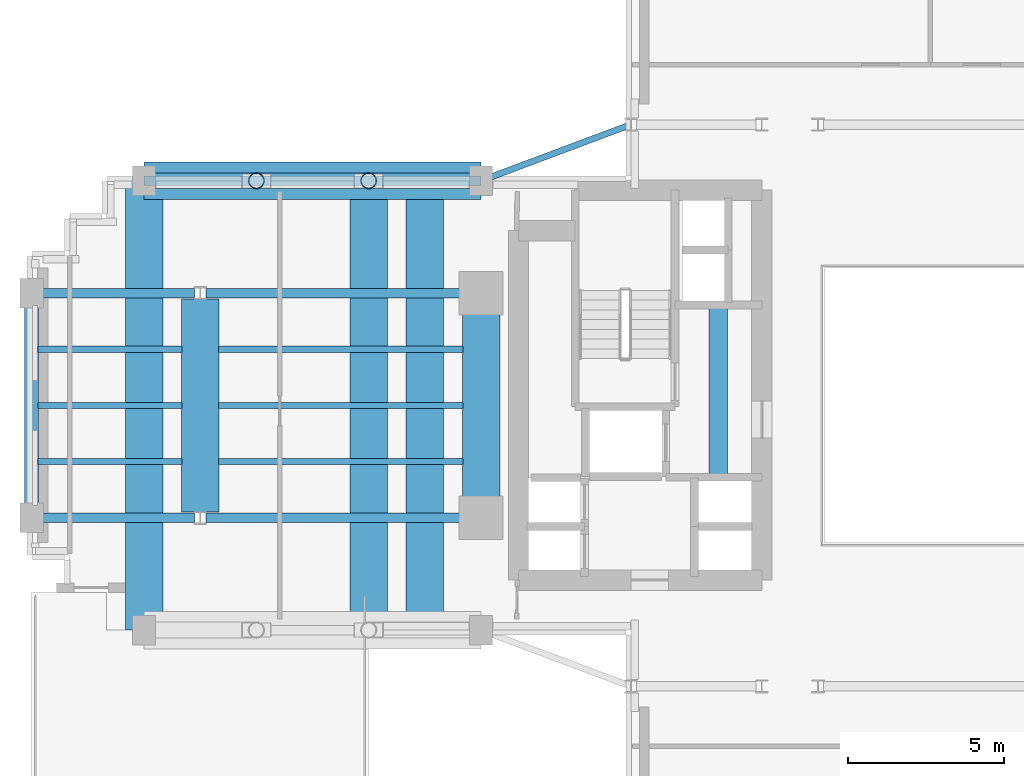
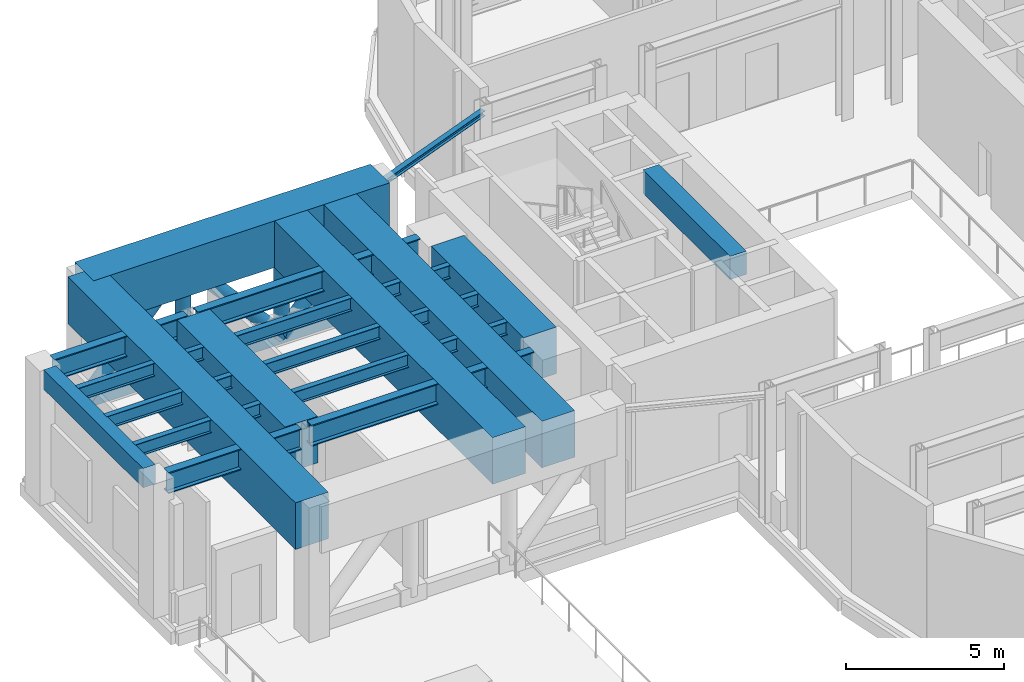
# One storey, part 4 of 16: 18 beams, 7 members.
"""IFC4 building model written with IfcOpenShell, lengths in metres."""

from ifc_helpers import new_model, si_unit, direction, frame, origin, origin_2d, place, context, subcontext, project, spatial, rectangle, hollow_rectangle, hollow_circle, i_section, extrude, source, transform, mapped, material, material_profile, profile_set, type_object, element, save


model = new_model("IFC4")

# Units and contexts
model_context = context("Model", 3, precision=1e-05, world=origin(), true_north=direction((0.0, 1.0)))
body_context = subcontext(model_context, "Body", "Model", "MODEL_VIEW")
ifc_project = project(units=[si_unit("LENGTHUNIT", "METRE"), si_unit("AREAUNIT", "SQUARE_METRE"), si_unit("VOLUMEUNIT", "CUBIC_METRE"), si_unit("PLANEANGLEUNIT", "RADIAN"), si_unit("MASSUNIT", "GRAM", prefix="KILO")], contexts=[model_context])

# Site, building, storey
site_placement = place(None, origin())
site = spatial("IfcSite", under=ifc_project, at=site_placement, CompositionType="ELEMENT")
building_placement = place(site_placement, origin())
building = spatial("IfcBuilding", under=site, at=building_placement, Name="Keilestroom Media Tower", CompositionType="ELEMENT")
storey_placement = place(building_placement, frame((0.0, 0.0, 25.199951171875)))
storey = spatial("IfcBuildingStorey", under=building, at=storey_placement, Name="L05", CompositionType="ELEMENT", Elevation=25.199951171875)

# Beams
ifc_material_1 = material(Name="Concrete C60/75", Category="concrete")
ifc_material_profile_1 = material_profile(ifc_material_1, rectangle(XDim=1.199951171875, YDim=1.800048828125, at=origin_2d()), Name="RC 1200x1800")
ifc_profile_set_1 = profile_set([ifc_material_profile_1], Name="Concrete C60/75")
beam_type_1 = type_object("IfcBeamType", Name="Primary-Structural-Girder-RC-1200x1800", PredefinedType="BEAM", material=ifc_profile_set_1)
shared_shape_1 = source(origin(), body_context, "Body", "SweptSolid", [
    extrude(rectangle(XDim=1.199951171875, YDim=1.800048828125, at=origin_2d()), origin(), (0.0, 0.0, 1.0), 10.800048828125),
])
beam_1_placement = place(storey_placement, frame((-25.199951171875, 7.199951171875, 4.300048828125), z_axis=(1.0, 0.0, 0.0), x_axis=(0.0, 1.0, 0.0)))
element("IfcBeam", 1, at=beam_1_placement, inside=storey, type_object=beam_type_1, Name="L05 Beam TG-1 BM-L05-TG1-02", PredefinedType="BEAM", context=body_context, shape_type="MappedRepresentation", body=[
    mapped(shared_shape_1, transform((0.0, 0.0, 0.0), x_axis=(1.0, 0.0, 0.0), y_axis=(0.0, 1.0, 0.0), z_axis=(0.0, 0.0, 1.0), scale=1.0)),
])
shared_shape_2 = source(origin(), body_context, "Body", "SweptSolid", [
    extrude(rectangle(XDim=1.199951171875, YDim=1.800048828125, at=origin_2d()), origin(), (0.0, 0.0, 1.0), 14.39990234375),
])
for number, where, z_axis, x_axis, name in (
    (2, (-25.199951171875, -7.199951171875, 4.300048828125), (0.0, 1.0, 0.0), (-1.0, 0.0, 0.0), "L05 Beam TG-1 BM-L05-TG1-05"),
    (3, (-18.0, -7.199951171875, 4.300048828125), (0.0, 1.0, 0.0), (-1.0, 0.0, 0.0), "L05 Beam TG-1 BM-L05-TG1-07"),
    (4, (-16.199951171875, -7.199951171875, 4.300048828125), (0.0, 1.0, 0.0), (-1.0, 0.0, 0.0), "L05 Beam TG-1 BM-L05-TG1-09"),
):
    element("IfcBeam", number, at=place(storey_placement, frame(where, z_axis=z_axis, x_axis=x_axis)), inside=storey, type_object=beam_type_1, Name=name, PredefinedType="BEAM", context=body_context, shape_type="MappedRepresentation", body=[
        mapped(shared_shape_2, transform((0.0, 0.0, 0.0), x_axis=(1.0, 0.0, 0.0), y_axis=(0.0, 1.0, 0.0), z_axis=(0.0, 0.0, 1.0), scale=1.0)),
    ])
ifc_material_2 = material(Name="Concrete C70/85", Category="concrete")
ifc_material_profile_2 = material_profile(ifc_material_2, rectangle(XDim=0.60009765625, YDim=0.89990234375, at=origin_2d()), Name="RC 600x900")
ifc_profile_set_2 = profile_set([ifc_material_profile_2], Name="Concrete C70/85")
beam_type_2 = type_object("IfcBeamType", Name="Core-Coupling-Lintel-Beam-RC-600x900", PredefinedType="LINTEL", material=ifc_profile_set_2)
shared_shape_3 = source(origin(), body_context, "Body", "SweptSolid", [
    extrude(rectangle(XDim=0.60009765625, YDim=0.89990234375, at=origin_2d()), origin(), (0.0, 0.0, 1.0), 5.52001953125),
])
beam_2_placement = place(storey_placement, frame((-6.800048828125, -2.300048828125, 4.75), z_axis=(0.0, 1.0, 0.0), x_axis=(-1.0, 0.0, 0.0)))
element("IfcBeam", 5, at=beam_2_placement, inside=storey, type_object=beam_type_2, Name="L05 Beam CLB-1 CLB-L05-W", PredefinedType="LINTEL", context=body_context, shape_type="MappedRepresentation", body=[
    mapped(shared_shape_3, transform((0.0, 0.0, 0.0), x_axis=(1.0, 0.0, 0.0), y_axis=(0.0, 1.0, 0.0), z_axis=(0.0, 0.0, 1.0), scale=1.0)),
])
shared_shape_4 = source(origin(), body_context, "Body", "SweptSolid", [
    extrude(rectangle(XDim=1.199951171875, YDim=1.800048828125, at=origin_2d()), origin(), (0.0, 0.0, 1.0), 5.83984375),
])
beam_3_placement = place(storey_placement, frame((-14.39990234375, -2.919921875, 4.300048828125), z_axis=(0.0, 1.0, 0.0), x_axis=(-1.0, 0.0, 0.0)))
element("IfcBeam", 6, at=beam_3_placement, inside=storey, type_object=beam_type_1, Name="L05 Beam TG-1 BM-L05-NS-034", PredefinedType="BEAM", context=body_context, shape_type="MappedRepresentation", body=[
    mapped(shared_shape_4, transform((0.0, 0.0, 0.0), x_axis=(1.0, 0.0, 0.0), y_axis=(0.0, 1.0, 0.0), z_axis=(0.0, 0.0, 1.0), scale=1.0)),
])
shared_shape_5 = source(origin(), body_context, "Body", "SweptSolid", [
    extrude(rectangle(XDim=1.199951171875, YDim=1.800048828125, at=origin_2d()), origin(), (0.0, 0.0, 1.0), 6.82421875),
])
beam_4_placement = place(storey_placement, frame((-23.39990234375, -3.412109375, 4.300048828125), z_axis=(0.0, 1.0, 0.0), x_axis=(-1.0, 0.0, 0.0)))
element("IfcBeam", 7, at=beam_4_placement, inside=storey, type_object=beam_type_1, Name="L05 Beam TG-1 BM-L05-NS-032", PredefinedType="BEAM", context=body_context, shape_type="MappedRepresentation", body=[
    mapped(shared_shape_5, transform((0.0, 0.0, 0.0), x_axis=(1.0, 0.0, 0.0), y_axis=(0.0, 1.0, 0.0), z_axis=(0.0, 0.0, 1.0), scale=1.0)),
])
ifc_material_3 = material(Name="Steel S355", Category="steel")
ifc_material_profile_3 = material_profile(ifc_material_3, i_section(OverallWidth=0.199951171875, OverallDepth=0.5, WebThickness=0.01025390625, FlangeThickness=0.01611328125, at=origin_2d()), Name="IPE 500")
ifc_profile_set_3 = profile_set([ifc_material_profile_3], Name="Steel S355")
beam_type_3 = type_object("IfcBeamType", Name="Secondary-Floor-Joist-IPE-500", PredefinedType="JOIST", material=ifc_profile_set_3)
shared_shape_6 = source(origin(), body_context, "Body", "SweptSolid", [
    extrude(i_section(OverallWidth=0.199951171875, OverallDepth=0.5, WebThickness=0.01025390625, FlangeThickness=0.01611328125, at=origin_2d()), origin(), (0.0, 0.0, 1.0), 7.840087890625),
])
for number, where, z_axis, x_axis, name in (
    (8, (-22.820068359375, -1.800048828125, 4.949951171875), (1.0, 0.0, 0.0), (0.0, 1.0, 0.0), "L05 Beam BJ-2 JST-L05-056"),
    (9, (-22.820068359375, 0.0, 4.949951171875), (1.0, 0.0, 0.0), (0.0, 1.0, 0.0), "L05 Beam BJ-2 JST-L05-060"),
    (10, (-22.820068359375, 1.800048828125, 4.949951171875), (1.0, 0.0, 0.0), (0.0, 1.0, 0.0), "L05 Beam BJ-2 JST-L05-064"),
):
    element("IfcBeam", number, at=place(storey_placement, frame(where, z_axis=z_axis, x_axis=x_axis)), inside=storey, type_object=beam_type_3, Name=name, PredefinedType="JOIST", context=body_context, shape_type="MappedRepresentation", body=[
        mapped(shared_shape_6, transform((0.0, 0.0, 0.0), x_axis=(1.0, 0.0, 0.0), y_axis=(0.0, 1.0, 0.0), z_axis=(0.0, 0.0, 1.0), scale=1.0)),
    ])
ifc_material_4 = material(Name="Steel S460", Category="steel")
ifc_material_profile_4 = material_profile(ifc_material_4, i_section(OverallWidth=0.302978515625, OverallDepth=0.81396484375, WebThickness=0.02099609375, FlangeThickness=0.0400390625, at=origin_2d()), Name="HEM 800")
ifc_profile_set_4 = profile_set([ifc_material_profile_4], Name="Steel S460")
beam_type_4 = type_object("IfcBeamType", Name="Primary-Structural-Girder-HEM-800", PredefinedType="BEAM", material=ifc_profile_set_4)
shared_shape_7 = source(origin(), body_context, "Body", "SweptSolid", [
    extrude(i_section(OverallWidth=0.302978515625, OverallDepth=0.81396484375, WebThickness=0.02099609375, FlangeThickness=0.0400390625, at=origin_2d()), origin(), (0.0, 0.0, 1.0), 4.862060546875),
])
for number, where, z_axis, x_axis, name in (
    (11, (-28.445068359375, -3.60009765625, 4.79296875), (1.0, 0.0, 0.0), (0.0, 1.0, 0.0), "L05 Beam BG-1 BM-L05-EW-012"),
    (12, (-28.445068359375, 3.60009765625, 4.79296875), (1.0, 0.0, 0.0), (0.0, 1.0, 0.0), "L05 Beam BG-1 BM-L05-EW-016"),
):
    element("IfcBeam", number, at=place(storey_placement, frame(where, z_axis=z_axis, x_axis=x_axis)), inside=storey, type_object=beam_type_4, Name=name, PredefinedType="BEAM", context=body_context, shape_type="MappedRepresentation", body=[
        mapped(shared_shape_7, transform((0.0, 0.0, 0.0), x_axis=(1.0, 0.0, 0.0), y_axis=(0.0, 1.0, 0.0), z_axis=(0.0, 0.0, 1.0), scale=1.0)),
    ])
shared_shape_8 = source(origin(), body_context, "Body", "SweptSolid", [
    extrude(i_section(OverallWidth=0.302978515625, OverallDepth=0.81396484375, WebThickness=0.02099609375, FlangeThickness=0.0400390625, at=origin_2d()), origin(), (0.0, 0.0, 1.0), 8.136962890625),
])
for number, where, z_axis, x_axis, name in (
    (13, (-23.217041015625, -3.60009765625, 4.79296875), (1.0, 0.0, 0.0), (0.0, 1.0, 0.0), "L05 Beam BG-1 BM-L05-EW-013"),
    (14, (-23.217041015625, 3.60009765625, 4.79296875), (1.0, 0.0, 0.0), (0.0, 1.0, 0.0), "L05 Beam BG-1 BM-L05-EW-017"),
):
    element("IfcBeam", number, at=place(storey_placement, frame(where, z_axis=z_axis, x_axis=x_axis)), inside=storey, type_object=beam_type_4, Name=name, PredefinedType="BEAM", context=body_context, shape_type="MappedRepresentation", body=[
        mapped(shared_shape_8, transform((0.0, 0.0, 0.0), x_axis=(1.0, 0.0, 0.0), y_axis=(0.0, 1.0, 0.0), z_axis=(0.0, 0.0, 1.0), scale=1.0)),
    ])
ifc_material_5 = material(Name="Precast concrete C40/50", Category="concrete")
ifc_material_profile_5 = material_profile(ifc_material_5, rectangle(XDim=0.449951171875, YDim=0.75, at=origin_2d()), Name="PC 450x750")
ifc_profile_set_5 = profile_set([ifc_material_profile_5], Name="Precast concrete C40/50")
beam_type_5 = type_object("IfcBeamType", Name="Perimeter-Spandrel-Beam-PC-450x750", PredefinedType="SPANDREL", material=ifc_profile_set_5)
shared_shape_9 = source(origin(), body_context, "Body", "SweptSolid", [
    extrude(rectangle(XDim=0.449951171875, YDim=0.75, at=origin_2d()), origin(), (0.0, 0.0, 1.0), 6.2900390625),
])
beam_5_placement = place(storey_placement, frame((-28.800048828125, -3.14501953125, 4.824951171875), z_axis=(0.0, 1.0, 0.0), x_axis=(-1.0, 0.0, 0.0)))
element("IfcBeam", 15, at=beam_5_placement, inside=storey, type_object=beam_type_5, Name="L05 Beam SPB-1 BM-L05-NS-031", PredefinedType="SPANDREL", context=body_context, shape_type="MappedRepresentation", body=[
    mapped(shared_shape_9, transform((0.0, 0.0, 0.0), x_axis=(1.0, 0.0, 0.0), y_axis=(0.0, 1.0, 0.0), z_axis=(0.0, 0.0, 1.0), scale=1.0)),
])
shared_shape_10 = source(origin(), body_context, "Body", "SweptSolid", [
    extrude(i_section(OverallWidth=0.199951171875, OverallDepth=0.5, WebThickness=0.01025390625, FlangeThickness=0.01611328125, at=origin_2d()), origin(), (0.0, 0.0, 1.0), 4.614990234375),
])
for number, where, z_axis, x_axis, name in (
    (16, (-28.594970703125, -1.800048828125, 4.949951171875), (1.0, 0.0, 0.0), (0.0, 1.0, 0.0), "L05 Beam BJ-2 JST-L05-055"),
    (17, (-28.594970703125, 0.0, 4.949951171875), (1.0, 0.0, 0.0), (0.0, 1.0, 0.0), "L05 Beam BJ-2 JST-L05-059"),
    (18, (-28.594970703125, 1.800048828125, 4.949951171875), (1.0, 0.0, 0.0), (0.0, 1.0, 0.0), "L05 Beam BJ-2 JST-L05-063"),
):
    element("IfcBeam", number, at=place(storey_placement, frame(where, z_axis=z_axis, x_axis=x_axis)), inside=storey, type_object=beam_type_3, Name=name, PredefinedType="JOIST", context=body_context, shape_type="MappedRepresentation", body=[
        mapped(shared_shape_10, transform((0.0, 0.0, 0.0), x_axis=(1.0, 0.0, 0.0), y_axis=(0.0, 1.0, 0.0), z_axis=(0.0, 0.0, 1.0), scale=1.0)),
    ])

# Members
ifc_material_profile_6 = material_profile(ifc_material_4, hollow_rectangle(XDim=0.300048828125, YDim=0.5, WallThickness=0.02001953125, at=origin_2d()), Name="RHS 500x300x20")
ifc_profile_set_6 = profile_set([ifc_material_profile_6], Name="Steel S460")
member_type_1 = type_object("IfcMemberType", Name="Transfer-And-Belt-Truss-Chord-RHS-500x300x20", PredefinedType="CHORD", material=ifc_profile_set_6)
shared_shape_11 = source(origin(), body_context, "Body", "SweptSolid", [
    extrude(hollow_rectangle(XDim=0.300048828125, YDim=0.5, WallThickness=0.02001953125, at=origin_2d()), origin(), (0.0, 0.0, 1.0), 10.800048828125),
])
member_1_placement = place(storey_placement, frame((-25.199951171875, 7.199951171875, 0.25), z_axis=(1.0, 0.0, 0.0), x_axis=(0.0, 1.0, 0.0)))
element("IfcMember", 19, at=member_1_placement, inside=storey, type_object=member_type_1, Name="L05 Transfer Truss TT-2 Bottom Chord", PredefinedType="CHORD", context=body_context, shape_type="MappedRepresentation", body=[
    mapped(shared_shape_11, transform((0.0, 0.0, 0.0), x_axis=(1.0, 0.0, 0.0), y_axis=(0.0, 1.0, 0.0), z_axis=(0.0, 0.0, 1.0), scale=1.0)),
])
ifc_material_profile_7 = material_profile(ifc_material_4, hollow_circle(Radius=0.25390625, WallThickness=0.02001953125, at=origin_2d()), Name="CHS 508x20")
ifc_profile_set_7 = profile_set([ifc_material_profile_7], Name="Steel S460")
member_type_2 = type_object("IfcMemberType", Name="Outrigger-And-Belt-Brace-Transfer-CHS-508x20", PredefinedType="BRACE", material=ifc_profile_set_7)
shared_shape_12 = source(origin(), body_context, "Body", "SweptSolid", [
    extrude(hollow_circle(Radius=0.25390625, WallThickness=0.02001953125, at=origin_2d()), origin(), (0.0, 0.0, 1.0), 5.418701171875),
])
for number, where, z_axis, x_axis, name in (
    (20, (-25.199951171875, 7.199951171875, 0.25), (0.664344262737, 0.0, 0.747426719196), (0.0, 1.0, 0.0), "L05 Transfer Truss TT-2 Diagonal 1"),
    (21, (-21.60009765625, 7.199951171875, 4.300048828125), (0.664369431748, 0.0, -0.747404347163), (0.0, 1.0, 0.0), "L05 Transfer Truss TT-2 Diagonal 2"),
    (22, (-18.0, 7.199951171875, 0.25), (0.664369431748, 0.0, 0.747404347163), (0.0, 1.0, 0.0), "L05 Transfer Truss TT-2 Diagonal 3"),
):
    element("IfcMember", number, at=place(storey_placement, frame(where, z_axis=z_axis, x_axis=x_axis)), inside=storey, type_object=member_type_2, Name=name, PredefinedType="BRACE", context=body_context, shape_type="MappedRepresentation", body=[
        mapped(shared_shape_12, transform((0.0, 0.0, 0.0), x_axis=(1.0, 0.0, 0.0), y_axis=(0.0, 1.0, 0.0), z_axis=(0.0, 0.0, 1.0), scale=1.0)),
    ])
ifc_material_profile_8 = material_profile(ifc_material_4, hollow_circle(Radius=0.25390625, WallThickness=0.02001953125, at=origin_2d()), Name="CHS 508x20")
ifc_profile_set_8 = profile_set([ifc_material_profile_8], Name="Steel S460")
member_type_3 = type_object("IfcMemberType", Name="Crown-Strut-And-Mast-Member-Crown-Frame-CHS-508x20", PredefinedType="STRUT", material=ifc_profile_set_8)
shared_shape_13 = source(origin(), body_context, "Body", "SweptSolid", [
    extrude(hollow_circle(Radius=0.25390625, WallThickness=0.02001953125, at=origin_2d()), origin(), (0.0, 0.0, 1.0), 4.050048828125),
])
for number, where, z_axis, x_axis, name in (
    (23, (-21.60009765625, 7.199951171875, 0.25), (0.0, 0.0, 1.0), (1.0, 0.0, 0.0), "L05 Transfer Truss TT-2 Web Strut (-21.6,+7.2)"),
    (24, (-18.0, 7.199951171875, 0.25), (0.0, 0.0, 1.0), (1.0, 0.0, 0.0), "L05 Transfer Truss TT-2 Web Strut (-18.0,+7.2)"),
):
    element("IfcMember", number, at=place(storey_placement, frame(where, z_axis=z_axis, x_axis=x_axis)), inside=storey, type_object=member_type_3, Name=name, PredefinedType="STRUT", context=body_context, shape_type="MappedRepresentation", body=[
        mapped(shared_shape_13, transform((0.0, 0.0, 0.0), x_axis=(1.0, 0.0, 0.0), y_axis=(0.0, 1.0, 0.0), z_axis=(0.0, 0.0, 1.0), scale=1.0)),
    ])
ifc_material_profile_9 = material_profile(ifc_material_3, i_section(OverallWidth=0.199951171875, OverallDepth=0.199951171875, WebThickness=0.009033203125, FlangeThickness=0.014892578125, at=origin_2d()), Name="HEB 200")
ifc_profile_set_9 = profile_set([ifc_material_profile_9], Name="Steel S355")
member_type_4 = type_object("IfcMemberType", Name="Outrigger-And-Belt-Brace-HEB-200", PredefinedType="BRACE", material=ifc_profile_set_9)
shared_shape_14 = source(origin(), body_context, "Body", "SweptSolid", [
    extrude(i_section(OverallWidth=0.199951171875, OverallDepth=0.199951171875, WebThickness=0.009033203125, FlangeThickness=0.014892578125, at=origin_2d()), origin(), (0.0, 0.0, 1.0), 5.126220703125),
])
member_2_placement = place(storey_placement, frame((-14.39990234375, 7.199951171875, 4.800048828125), z_axis=(0.936321348453, 0.351144318522, 0.0), x_axis=(-0.351144318522, 0.936321348453, 0.0)))
element("IfcMember", 25, at=member_2_placement, inside=storey, type_object=member_type_4, Name="L05 Horizontal Diaphragm Brace TBR-1", PredefinedType="BRACE", context=body_context, shape_type="MappedRepresentation", body=[
    mapped(shared_shape_14, transform((0.0, 0.0, 0.0), x_axis=(1.0, 0.0, 0.0), y_axis=(0.0, 1.0, 0.0), z_axis=(0.0, 0.0, 1.0), scale=1.0)),
])

save(model, "model.ifc")
